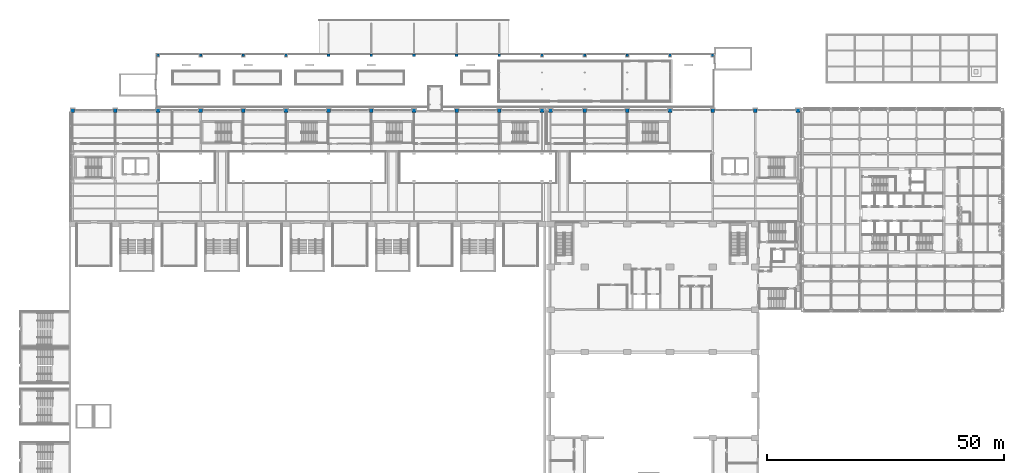
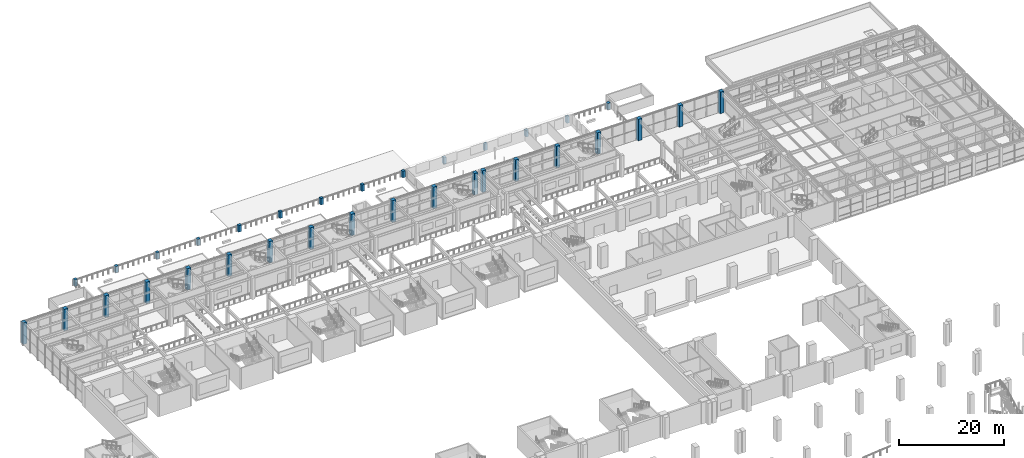
# One storey, part 5 of 67: 33 columns.
"""IFC4 building model written with IfcOpenShell, lengths in metres."""

from ifc_helpers import new_model, si_unit, direction, frame, origin, origin_2d, place, context, subcontext, project, spatial, rectangle, extrude, material, material_profile, profile_set, type_object, element, save


model = new_model("IFC4")

# Units and contexts
model_context = context("Model", 3, precision=1e-05, world=origin(), true_north=direction((0.0, 1.0)))
body_context = subcontext(model_context, "Body", "Model", "MODEL_VIEW")
ifc_project = project(units=[si_unit("LENGTHUNIT", "METRE"), si_unit("AREAUNIT", "SQUARE_METRE"), si_unit("VOLUMEUNIT", "CUBIC_METRE"), si_unit("PLANEANGLEUNIT", "RADIAN"), si_unit("MASSUNIT", "GRAM", prefix="KILO")], contexts=[model_context])

# Site, building, storey
site_placement = place(None, origin())
site = spatial("IfcSite", under=ifc_project, at=site_placement, CompositionType="ELEMENT")
building_placement = place(site_placement, origin())
building = spatial("IfcBuilding", under=site, at=building_placement, Name="Aravalli Gate Trade Fair Centre", CompositionType="ELEMENT")
storey_placement = place(building_placement, frame((0.0, 0.0, 5.0)))
storey = spatial("IfcBuildingStorey", under=building, at=storey_placement, Name="L01", CompositionType="ELEMENT", Elevation=5.0)

# Columns
ifc_material = material(Name="Concrete M45", Category="concrete")
ifc_material_profile_1 = material_profile(ifc_material, rectangle(XDim=0.60009765625, YDim=0.60009765625, at=origin_2d()), Name="Arcade pier 600 x 600")
ifc_profile_set_1 = profile_set([ifc_material_profile_1], Name="Concrete M45")
column_type_1 = type_object("IfcColumnType", Name="Arcade pier 600 x 600", PredefinedType="COLUMN", material=ifc_profile_set_1)
for number, where, z_axis, x_axis, name in (
    (1, (24.0, 144.64990234375, 0.0), (0.0, 0.0, 1.0), (1.0, 0.0, 0.0), "Arcade pier N03 L01"),
    (2, (33.0, 144.64990234375, 0.0), (0.0, 0.0, 1.0), (1.0, 0.0, 0.0), "Arcade pier N04 L01"),
    (3, (42.0, 144.64990234375, 0.0), (0.0, 0.0, 1.0), (1.0, 0.0, 0.0), "Arcade pier N05 L01"),
    (4, (51.0, 144.64990234375, 0.0), (0.0, 0.0, 1.0), (1.0, 0.0, 0.0), "Arcade pier N06 L01"),
    (5, (60.0, 144.64990234375, 0.0), (0.0, 0.0, 1.0), (1.0, 0.0, 0.0), "Arcade pier N07 L01"),
    (6, (69.0, 144.64990234375, 0.0), (0.0, 0.0, 1.0), (1.0, 0.0, 0.0), "Arcade pier N08 L01"),
    (7, (78.0, 144.64990234375, 0.0), (0.0, 0.0, 1.0), (1.0, 0.0, 0.0), "Arcade pier N09 L01"),
    (8, (87.0, 144.64990234375, 0.0), (0.0, 0.0, 1.0), (1.0, 0.0, 0.0), "Arcade pier N10 L01"),
    (9, (96.0, 144.64990234375, 0.0), (0.0, 0.0, 1.0), (1.0, 0.0, 0.0), "Arcade pier N11 L01"),
    (10, (105.0, 144.64990234375, 0.0), (0.0, 0.0, 1.0), (1.0, 0.0, 0.0), "Arcade pier N12 L01"),
    (11, (114.0, 144.64990234375, 0.0), (0.0, 0.0, 1.0), (1.0, 0.0, 0.0), "Arcade pier N13 L01"),
    (12, (123.0, 144.64990234375, 0.0), (0.0, 0.0, 1.0), (1.0, 0.0, 0.0), "Arcade pier N14 L01"),
    (13, (132.0, 144.64990234375, 0.0), (0.0, 0.0, 1.0), (1.0, 0.0, 0.0), "Arcade pier N15 L01"),
    (14, (141.0, 144.64990234375, 0.0), (0.0, 0.0, 1.0), (1.0, 0.0, 0.0), "Arcade pier N16 L01"),
):
    element("IfcColumn", number, at=place(storey_placement, frame(where, z_axis=z_axis, x_axis=x_axis)), inside=storey, type_object=column_type_1, Name=name, PredefinedType="COLUMN", context=body_context, shape_type="SweptSolid", body=[
        extrude(rectangle(XDim=0.60009765625, YDim=0.60009765625, at=origin_2d()), origin(), (0.0, 0.0, 1.0), 1.5),
    ])
ifc_material_profile_2 = material_profile(ifc_material, rectangle(XDim=0.800048828125, YDim=0.800048828125, at=origin_2d()), Name="RC column 800 x 800")
ifc_profile_set_2 = profile_set([ifc_material_profile_2], Name="Concrete M45")
column_type_2 = type_object("IfcColumnType", Name="RC column 800 x 800", PredefinedType="COLUMN", material=ifc_profile_set_2)
for number, where, z_axis, x_axis, name in (
    (15, (6.0, 133.0, 0.0), (0.0, 0.0, 1.0), (1.0, 0.0, 0.0), "Concourse column K01 L01"),
    (16, (15.0, 133.0, 0.0), (0.0, 0.0, 1.0), (1.0, 0.0, 0.0), "Concourse column K02 L01"),
    (17, (24.0, 133.0, 0.0), (0.0, 0.0, 1.0), (1.0, 0.0, 0.0), "Concourse column K03 L01"),
    (18, (33.0, 133.0, 0.0), (0.0, 0.0, 1.0), (1.0, 0.0, 0.0), "Concourse column K04 L01"),
    (19, (42.0, 133.0, 0.0), (0.0, 0.0, 1.0), (1.0, 0.0, 0.0), "Concourse column K05 L01"),
    (20, (51.0, 133.0, 0.0), (0.0, 0.0, 1.0), (1.0, 0.0, 0.0), "Concourse column K06 L01"),
    (21, (60.0, 133.0, 0.0), (0.0, 0.0, 1.0), (1.0, 0.0, 0.0), "Concourse column K07 L01"),
    (22, (69.0, 133.0, 0.0), (0.0, 0.0, 1.0), (1.0, 0.0, 0.0), "Concourse column K08 L01"),
    (23, (78.0, 133.0, 0.0), (0.0, 0.0, 1.0), (1.0, 0.0, 0.0), "Concourse column K09 L01"),
    (24, (87.0, 133.0, 0.0), (0.0, 0.0, 1.0), (1.0, 0.0, 0.0), "Concourse column K10 L01"),
    (25, (96.0, 133.0, 0.0), (0.0, 0.0, 1.0), (1.0, 0.0, 0.0), "Concourse column K11 L01"),
    (26, (105.0, 133.0, 0.0), (0.0, 0.0, 1.0), (1.0, 0.0, 0.0), "Concourse column K12 L01"),
    (27, (106.800048828125, 133.0, 0.0), (0.0, 0.0, 1.0), (1.0, 0.0, 0.0), "Concourse column K12A L01"),
    (28, (114.0, 133.0, 0.0), (0.0, 0.0, 1.0), (1.0, 0.0, 0.0), "Concourse column K13 L01"),
    (29, (123.0, 133.0, 0.0), (0.0, 0.0, 1.0), (1.0, 0.0, 0.0), "Concourse column K14 L01"),
    (30, (132.0, 133.0, 0.0), (0.0, 0.0, 1.0), (1.0, 0.0, 0.0), "Concourse column K15 L01"),
    (31, (141.0, 133.0, 0.0), (0.0, 0.0, 1.0), (1.0, 0.0, 0.0), "Concourse column K16 L01"),
    (32, (150.0, 133.0, 0.0), (0.0, 0.0, 1.0), (1.0, 0.0, 0.0), "Concourse column K17 L01"),
    (33, (159.0, 133.0, 0.0), (0.0, 0.0, 1.0), (1.0, 0.0, 0.0), "Concourse column KE L01"),
):
    element("IfcColumn", number, at=place(storey_placement, frame(where, z_axis=z_axis, x_axis=x_axis)), inside=storey, type_object=column_type_2, Name=name, PredefinedType="COLUMN", context=body_context, shape_type="SweptSolid", body=[
        extrude(rectangle(XDim=0.800048828125, YDim=0.800048828125, at=origin_2d()), origin(), (0.0, 0.0, 1.0), 5.0),
    ])

save(model, "model.ifc")
